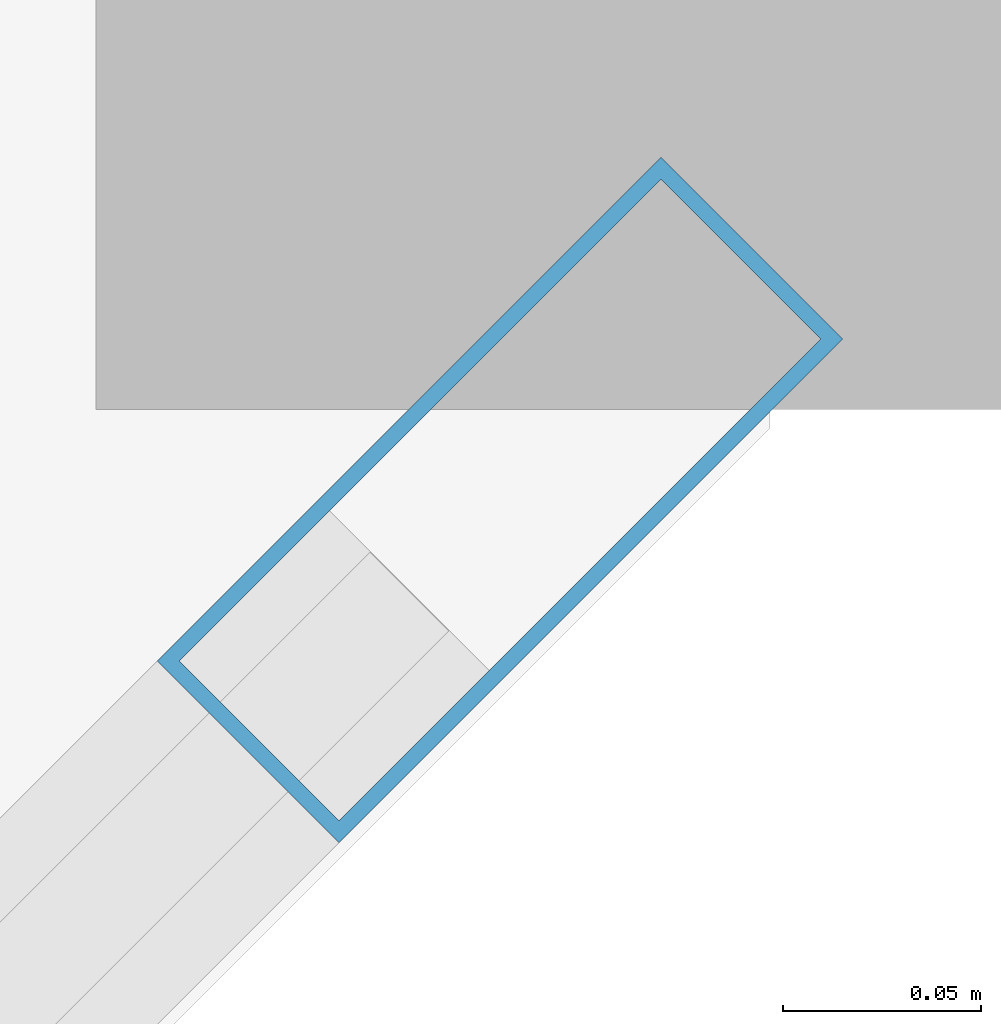
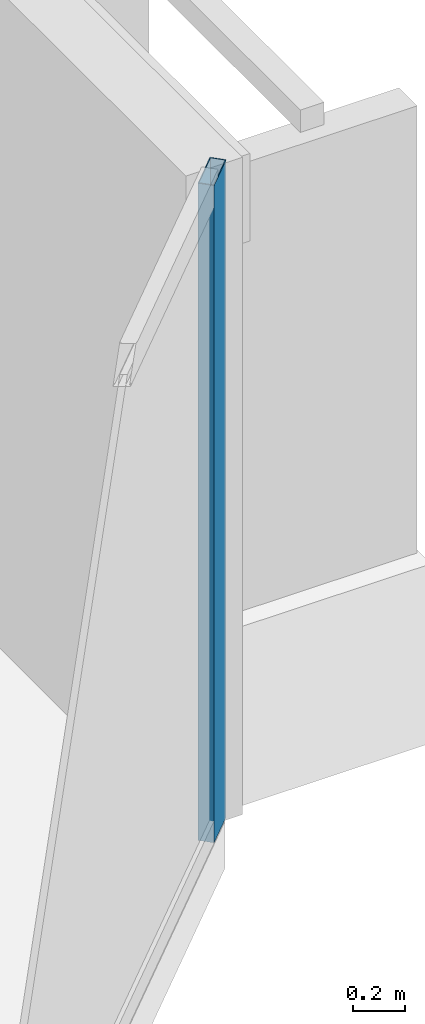
# One storey, part 17 of 35: 1 member, 1 element without a shape of its own.
"""IFC4 building model written with IfcOpenShell, lengths in metres."""

from ifc_helpers import new_model, si_unit, direction, frame, origin, origin_2d, place, context, subcontext, project, spatial, hollow_rectangle, extrude, material, layer, layer_set, material_profile, profile_set, type_object, element, aggregate, save


model = new_model("IFC4")

# Units and contexts
model_context = context("Model", 3, precision=1e-05, world=origin(), true_north=direction((0.0, 1.0)))
body_context = subcontext(model_context, "Body", "Model", "MODEL_VIEW")
ifc_project = project(units=[si_unit("LENGTHUNIT", "METRE"), si_unit("AREAUNIT", "SQUARE_METRE"), si_unit("VOLUMEUNIT", "CUBIC_METRE"), si_unit("PLANEANGLEUNIT", "RADIAN"), si_unit("MASSUNIT", "GRAM", prefix="KILO")], contexts=[model_context])

# Site, building, storey
site_placement = place(None, origin())
site = spatial("IfcSite", under=ifc_project, at=site_placement, CompositionType="ELEMENT")
building_placement = place(site_placement, origin())
building = spatial("IfcBuilding", under=site, at=building_placement, Name="Tanjung Sevakor Pilgrim Tower", CompositionType="ELEMENT")
storey_placement = place(building_placement, frame((0.0, 0.0, 92.070068359375)))
storey = spatial("IfcBuildingStorey", under=building, at=storey_placement, Name="L25", CompositionType="ELEMENT", Elevation=92.070068359375)

# Curtain wall, member
ifc_material_1 = material(Name="Aluminium 6063-T6 and Low-E Glass", Category="aluminium")
ifc_layer = layer(ifc_material_1, 0.179931640625)
ifc_layer_set = layer_set([ifc_layer], Name="CW-SYS-CHAM")
curtain_wall_type = type_object("IfcCurtainWallType", Name="CW-SYS-CHAM", PredefinedType="NOTDEFINED", material=ifc_layer_set)
curtain_wall_placement = place(storey_placement, origin())
curtain_wall = element("IfcCurtainWall", 1, at=curtain_wall_placement, inside=storey, type_object=curtain_wall_type, Name="L25 Curtain Wall CW-CHM-L25-MAIN-5", PredefinedType="NOTDEFINED")
ifc_material_2 = material(Name="Aluminium 6063-T6", Category="aluminium")
ifc_material_profile = material_profile(ifc_material_2, hollow_rectangle(XDim=0.06494140625, YDim=0.179931640625, WallThickness=0.00390625, at=origin_2d()))
ifc_profile_set = profile_set([ifc_material_profile], Name="Aluminium 6063-T6")
member_type = type_object("IfcMemberType", Name="TYPE-CWM-1", PredefinedType="MULLION", material=ifc_profile_set)
member_placement = place(storey_placement, frame((100.251953125, 13.828857421875, 0.0), z_axis=(0.0, 0.0, 1.0), x_axis=(-0.707106781187, 0.707106781187, 0.0)))
member = element("IfcMember", 2, at=member_placement, type_object=member_type, Name="CW-CHM mullion 2", PredefinedType="MULLION", context=body_context, shape_type="SweptSolid", body=[
    extrude(hollow_rectangle(XDim=0.06494140625, YDim=0.179931640625, WallThickness=0.00390625, at=origin_2d()), origin(), (0.0, 0.0, 1.0), 3.079833984375),
])
aggregate(curtain_wall, [member])

save(model, "model.ifc")
